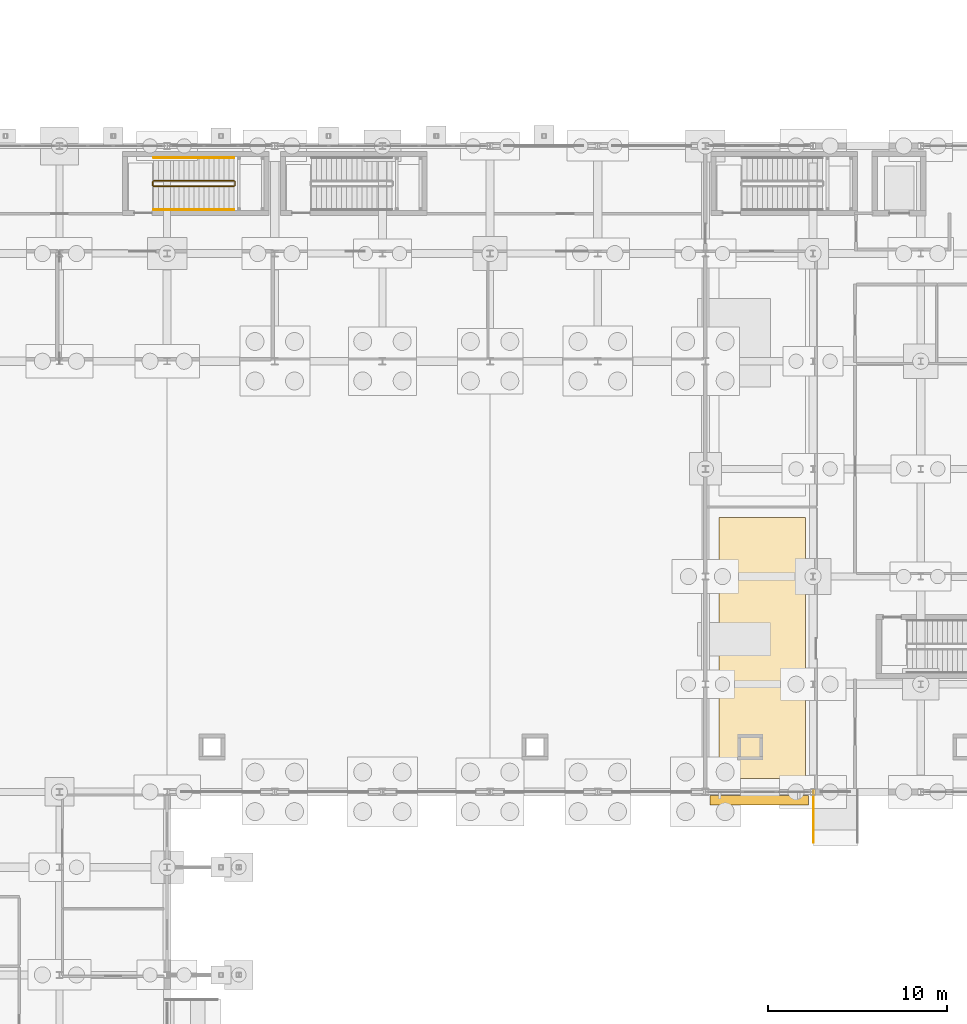
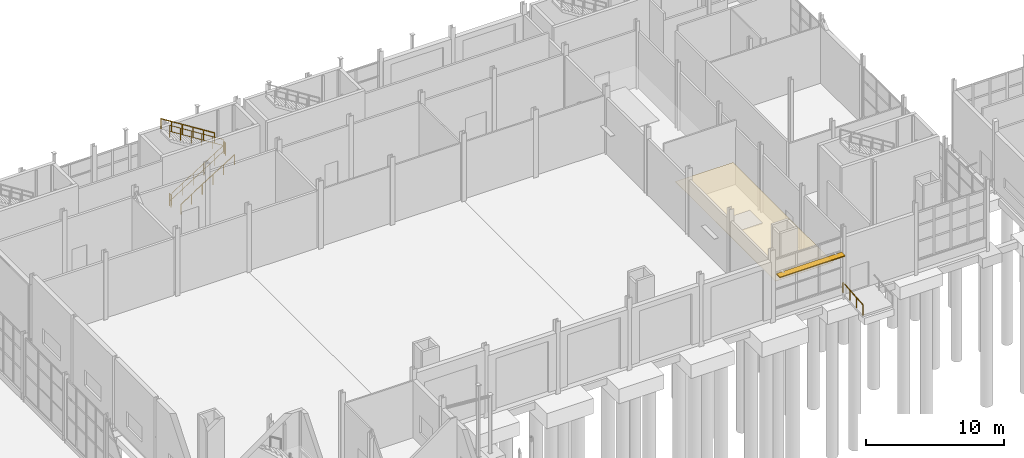
# One storey, part 113 of 120: 7 railings, 1 covering, 1 shading device.
"""IFC4 building model written with IfcOpenShell, lengths in metres."""

from ifc_helpers import new_model, si_unit, direction, frame, origin, origin_2d, place, context, subcontext, project, spatial, polyline, rectangle, circle, outline, extrude, material, layer, layer_set, type_object, element, save


model = new_model("IFC4")

# Units and contexts
model_context = context("Model", 3, precision=1e-05, world=origin(), true_north=direction((0.0, 1.0)))
body_context = subcontext(model_context, "Body", "Model", "MODEL_VIEW")
ifc_project = project(units=[si_unit("LENGTHUNIT", "METRE"), si_unit("AREAUNIT", "SQUARE_METRE"), si_unit("VOLUMEUNIT", "CUBIC_METRE"), si_unit("PLANEANGLEUNIT", "RADIAN"), si_unit("MASSUNIT", "GRAM", prefix="KILO")], contexts=[model_context])

# Site, building, storey
site_placement = place(None, origin())
site = spatial("IfcSite", under=ifc_project, at=site_placement, CompositionType="ELEMENT")
building_placement = place(site_placement, origin())
building = spatial("IfcBuilding", under=site, at=building_placement, Name="Siltcreek Boulevard Central Fire Station", CompositionType="ELEMENT")
storey_placement = place(building_placement, origin())
storey = spatial("IfcBuildingStorey", under=building, at=storey_placement, Name="L01", CompositionType="ELEMENT", Elevation=0.0)

# Covering
ifc_material_1 = material(Name="Mineral-fiber acoustic ceiling tile", Category="gypsum")
ifc_layer_1 = layer(ifc_material_1, 0.02490234375, Name="Mineral-fiber acoustic ceiling tile")
ifc_layer_set_1 = layer_set([ifc_layer_1], Name="Mineral-fiber acoustic ceiling tile")
covering_type = type_object("IfcCoveringType", Name="COV_CEIL_ACT", PredefinedType="CEILING", material=ifc_layer_set_1)
covering_placement = place(storey_placement, frame((0.0, 0.0, 2.419921875)))
element("IfcCovering", 1, at=covering_placement, inside=storey, type_object=covering_type, Name="L01 Battalion Chief Duty Office acoustic ceiling ACT-002", PredefinedType="CEILING", context=body_context, shape_type="SweptSolid", body=[
    extrude(outline(polyline([(90.75, 18.75), (95.580078125, 18.75), (95.580078125, 33.300048828125), (90.75, 33.300048828125), (90.75, 18.75)])), origin(), (0.0, 0.0, 1.0), 0.025146484375),
])

# Railings
ifc_material_2 = material(Name="Painted galvanized steel stair guard", Category="steel")
railing_type_1 = type_object("IfcRailingType", Name="RL_ST_GUARD", PredefinedType="BALUSTRADE", material=ifc_material_2)
railing_1_placement = place(storey_placement, frame((59.25, 51.75, 0.176513671875)))
element("IfcRailing", 2, at=railing_1_placement, inside=storey, type_object=railing_type_1, Name="L01 ST-V1B stair guard 1", PredefinedType="BALUSTRADE", context=body_context, shape_type="SweptSolid", body=[
    extrude(circle(Radius=0.02392578125, at=origin_2d()), frame((0.0, 0.0, 1.076171875), z_axis=(0.845997938375, 0.0, 0.533186166611), x_axis=(0.0, 1.0, 0.0)), (0.0, 0.0, 1.0), 5.29541015625),
    extrude(circle(Radius=0.02392578125, at=origin_2d()), frame((0.0, 0.0, 0.550048828125), z_axis=(0.845997938375, 0.0, 0.533186166611), x_axis=(0.0, 1.0, 0.0)), (0.0, 0.0, 1.0), 5.29541015625),
    extrude(circle(Radius=0.02099609375, at=origin_2d()), origin(), (0.0, 0.0, 1.0), 1.052001953125),
    extrude(circle(Radius=0.02099609375, at=origin_2d()), frame((0.89599609375, 0.0, 0.564697265625)), (0.0, 0.0, 1.0), 1.052001953125),
    extrude(circle(Radius=0.02099609375, at=origin_2d()), frame((1.7919921875, 0.0, 1.12939453125)), (0.0, 0.0, 1.0), 1.052001953125),
    extrude(circle(Radius=0.02099609375, at=origin_2d()), frame((2.68798828125, 0.0, 1.694091796875)), (0.0, 0.0, 1.0), 1.052001953125),
    extrude(circle(Radius=0.02099609375, at=origin_2d()), frame((3.583984375, 0.0, 2.2587890625)), (0.0, 0.0, 1.0), 1.052001953125),
    extrude(circle(Radius=0.02099609375, at=origin_2d()), frame((4.47998046875, 0.0, 2.823486328125)), (0.0, 0.0, 1.0), 1.052001953125),
])
railing_2_placement = place(storey_placement, frame((63.780029296875, 51.800048828125, 3.0)))
element("IfcRailing", 3, at=railing_2_placement, inside=storey, type_object=railing_type_1, Name="L01 ST-V1B stair guard 2", PredefinedType="BALUSTRADE", context=body_context, shape_type="SweptSolid", body=[
    extrude(circle(Radius=0.02392578125, at=origin_2d()), frame((0.0, 0.0, 1.076171875), z_axis=(0.0, 1.0, 0.0), x_axis=(-1.0, 0.0, 0.0)), (0.0, 0.0, 1.0), 0.199951171875),
    extrude(circle(Radius=0.02392578125, at=origin_2d()), frame((0.0, 0.0, 0.550048828125), z_axis=(0.0, 1.0, 0.0), x_axis=(-1.0, 0.0, 0.0)), (0.0, 0.0, 1.0), 0.199951171875),
    extrude(circle(Radius=0.02099609375, at=origin_2d()), origin(), (0.0, 0.0, 1.0), 1.052001953125),
    extrude(circle(Radius=0.02099609375, at=origin_2d()), frame((0.0, 0.199951171875, 0.0)), (0.0, 0.0, 1.0), 1.052001953125),
])
railing_3_placement = place(storey_placement, frame((63.72998046875, 52.050048828125, 3.176513671875)))
element("IfcRailing", 4, at=railing_3_placement, inside=storey, type_object=railing_type_1, Name="L01 ST-V1B stair guard 3", PredefinedType="BALUSTRADE", context=body_context, shape_type="SweptSolid", body=[
    extrude(circle(Radius=0.02392578125, at=origin_2d()), frame((0.0, 0.0, 1.076171875), z_axis=(-0.845997938375, 0.0, 0.533186166611), x_axis=(0.0, -1.0, 0.0)), (0.0, 0.0, 1.0), 5.29541015625),
    extrude(circle(Radius=0.02392578125, at=origin_2d()), frame((0.0, 0.0, 0.550048828125), z_axis=(-0.845997938375, 0.0, 0.533186166611), x_axis=(0.0, -1.0, 0.0)), (0.0, 0.0, 1.0), 5.29541015625),
    extrude(circle(Radius=0.02099609375, at=origin_2d()), origin(), (0.0, 0.0, 1.0), 1.052001953125),
    extrude(circle(Radius=0.02099609375, at=origin_2d()), frame((-0.89599609375, 0.0, 0.564697265625)), (0.0, 0.0, 1.0), 1.052001953125),
    extrude(circle(Radius=0.02099609375, at=origin_2d()), frame((-1.7919921875, 0.0, 1.12939453125)), (0.0, 0.0, 1.0), 1.052001953125),
    extrude(circle(Radius=0.02099609375, at=origin_2d()), frame((-2.68798828125, 0.0, 1.694091796875)), (0.0, 0.0, 1.0), 1.052001953125),
    extrude(circle(Radius=0.02099609375, at=origin_2d()), frame((-3.583984375, 0.0, 2.2587890625)), (0.0, 0.0, 1.0), 1.052001953125),
    extrude(circle(Radius=0.02099609375, at=origin_2d()), frame((-4.47998046875, 0.0, 2.823486328125)), (0.0, 0.0, 1.0), 1.052001953125),
])
railing_4_placement = place(storey_placement, frame((59.199951171875, 51.800048828125, 0.0)))
element("IfcRailing", 5, at=railing_4_placement, inside=storey, type_object=railing_type_1, Name="L01 ST-V1B stair guard 4", PredefinedType="BALUSTRADE", context=body_context, shape_type="SweptSolid", body=[
    extrude(circle(Radius=0.02392578125, at=origin_2d()), frame((0.0, 0.0, 1.076171875), z_axis=(0.0, 1.0, 0.0), x_axis=(-1.0, 0.0, 0.0)), (0.0, 0.0, 1.0), 0.199951171875),
    extrude(circle(Radius=0.02392578125, at=origin_2d()), frame((0.0, 0.0, 0.550048828125), z_axis=(0.0, 1.0, 0.0), x_axis=(-1.0, 0.0, 0.0)), (0.0, 0.0, 1.0), 0.199951171875),
    extrude(circle(Radius=0.02099609375, at=origin_2d()), origin(), (0.0, 0.0, 1.0), 1.052001953125),
    extrude(circle(Radius=0.02099609375, at=origin_2d()), frame((0.0, 0.199951171875, 0.0)), (0.0, 0.0, 1.0), 1.052001953125),
])
ifc_material_3 = material(Name="Brushed stainless steel stair handrail", Category="steel")
railing_type_2 = type_object("IfcRailingType", Name="RL_ST_HAND", PredefinedType="HANDRAIL", material=ifc_material_3)
railing_5_placement = place(storey_placement, frame((59.25, 50.449951171875, 0.176513671875)))
element("IfcRailing", 6, at=railing_5_placement, inside=storey, type_object=railing_type_2, Name="L01 ST-V1B stair handrail 1", PredefinedType="HANDRAIL", context=body_context, shape_type="SweptSolid", body=[
    extrude(circle(Radius=0.02392578125, at=origin_2d()), frame((0.0, 0.0, 0.8759765625), z_axis=(0.845997938375, 0.0, 0.533186166611), x_axis=(0.0, 1.0, 0.0)), (0.0, 0.0, 1.0), 5.29541015625),
    extrude(circle(Radius=0.02099609375, at=origin_2d()), origin(), (0.0, 0.0, 1.0), 0.851806640625),
    extrude(circle(Radius=0.02099609375, at=origin_2d()), frame((0.89599609375, 0.0, 0.564697265625)), (0.0, 0.0, 1.0), 0.851806640625),
    extrude(circle(Radius=0.02099609375, at=origin_2d()), frame((1.7919921875, 0.0, 1.12939453125)), (0.0, 0.0, 1.0), 0.851806640625),
    extrude(circle(Radius=0.02099609375, at=origin_2d()), frame((2.68798828125, 0.0, 1.694091796875)), (0.0, 0.0, 1.0), 0.851806640625),
    extrude(circle(Radius=0.02099609375, at=origin_2d()), frame((3.583984375, 0.0, 2.2587890625)), (0.0, 0.0, 1.0), 0.851806640625),
    extrude(circle(Radius=0.02099609375, at=origin_2d()), frame((4.47998046875, 0.0, 2.823486328125)), (0.0, 0.0, 1.0), 0.851806640625),
])
railing_6_placement = place(storey_placement, frame((63.72998046875, 53.35009765625, 3.176513671875)))
element("IfcRailing", 7, at=railing_6_placement, inside=storey, type_object=railing_type_2, Name="L01 ST-V1B stair handrail 2", PredefinedType="HANDRAIL", context=body_context, shape_type="SweptSolid", body=[
    extrude(circle(Radius=0.02392578125, at=origin_2d()), frame((0.0, 0.0, 0.8759765625), z_axis=(-0.845997938375, 0.0, 0.533186166611), x_axis=(0.0, -1.0, 0.0)), (0.0, 0.0, 1.0), 5.29541015625),
    extrude(circle(Radius=0.02099609375, at=origin_2d()), origin(), (0.0, 0.0, 1.0), 0.851806640625),
    extrude(circle(Radius=0.02099609375, at=origin_2d()), frame((-0.89599609375, 0.0, 0.564697265625)), (0.0, 0.0, 1.0), 0.851806640625),
    extrude(circle(Radius=0.02099609375, at=origin_2d()), frame((-1.7919921875, 0.0, 1.12939453125)), (0.0, 0.0, 1.0), 0.851806640625),
    extrude(circle(Radius=0.02099609375, at=origin_2d()), frame((-2.68798828125, 0.0, 1.694091796875)), (0.0, 0.0, 1.0), 0.851806640625),
    extrude(circle(Radius=0.02099609375, at=origin_2d()), frame((-3.583984375, 0.0, 2.2587890625)), (0.0, 0.0, 1.0), 0.851806640625),
    extrude(circle(Radius=0.02099609375, at=origin_2d()), frame((-4.47998046875, 0.0, 2.823486328125)), (0.0, 0.0, 1.0), 0.851806640625),
])
railing_7_placement = place(storey_placement, frame((96.02490234375, 15.179931640625, -0.239990234375)))
element("IfcRailing", 8, at=railing_7_placement, inside=storey, type_object=railing_type_2, Name="Accessible ramp RM-02 handrail L", PredefinedType="HANDRAIL", context=body_context, shape_type="SweptSolid", body=[
    extrude(circle(Radius=0.02392578125, at=origin_2d()), frame((0.0, 0.0, 0.8759765625), z_axis=(0.0, 0.996546340804, 0.083038488854), x_axis=(-1.0, 0.0, 0.0)), (0.0, 0.0, 1.0), 2.89013671875),
    extrude(circle(Radius=0.02099609375, at=origin_2d()), origin(), (0.0, 0.0, 1.0), 0.851806640625),
    extrude(circle(Radius=0.02099609375, at=origin_2d()), frame((0.0, 0.9599609375, 0.080078125)), (0.0, 0.0, 1.0), 0.851806640625),
    extrude(circle(Radius=0.02099609375, at=origin_2d()), frame((0.0, 1.920166015625, 0.159912109375)), (0.0, 0.0, 1.0), 0.851806640625),
    extrude(circle(Radius=0.02099609375, at=origin_2d()), frame((0.0, 2.880126953125, 0.239990234375)), (0.0, 0.0, 1.0), 0.851806640625),
])

# Shading device
ifc_material_4 = material(Name="Frey sage-green anodized tubular aluminum sunshade", Category="aluminium")
ifc_layer_2 = layer(ifc_material_4, 0.080078125, Name="Frey sage-green anodized tubular aluminum sunshade")
ifc_layer_set_2 = layer_set([ifc_layer_2], Name="Frey sage-green anodized tubular aluminum sunshade")
shading_device_type = type_object("IfcShadingDeviceType", Name="SHD_BRISE", PredefinedType="USERDEFINED", material=ifc_layer_set_2)
shading_device_placement = place(storey_placement, frame((93.0, 17.5400390625, 3.775634765625), z_axis=(0.0, 0.0, 1.0), x_axis=(1.0, 0.0, 0.0)))
element("IfcShadingDevice", 9, at=shading_device_placement, inside=storey, type_object=shading_device_type, Name="Anodized tubular aluminum brise-soleil SS-018", ObjectType="SUNSHADE", PredefinedType="USERDEFINED", context=body_context, shape_type="SweptSolid", body=[
    extrude(rectangle(XDim=5.469970703125, YDim=0.52001953125, at=origin_2d()), origin(), (0.0, 0.0, 1.0), 0.080078125),
])

save(model, "model.ifc")
